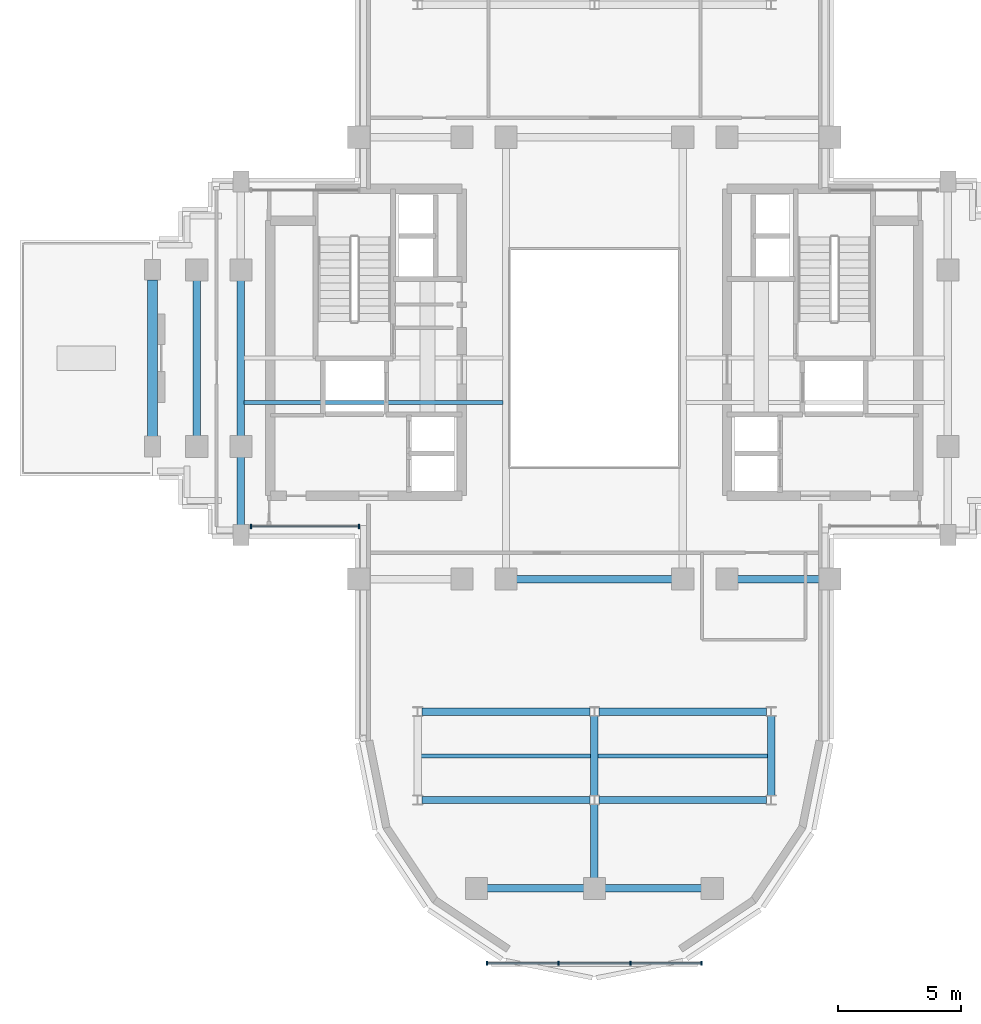
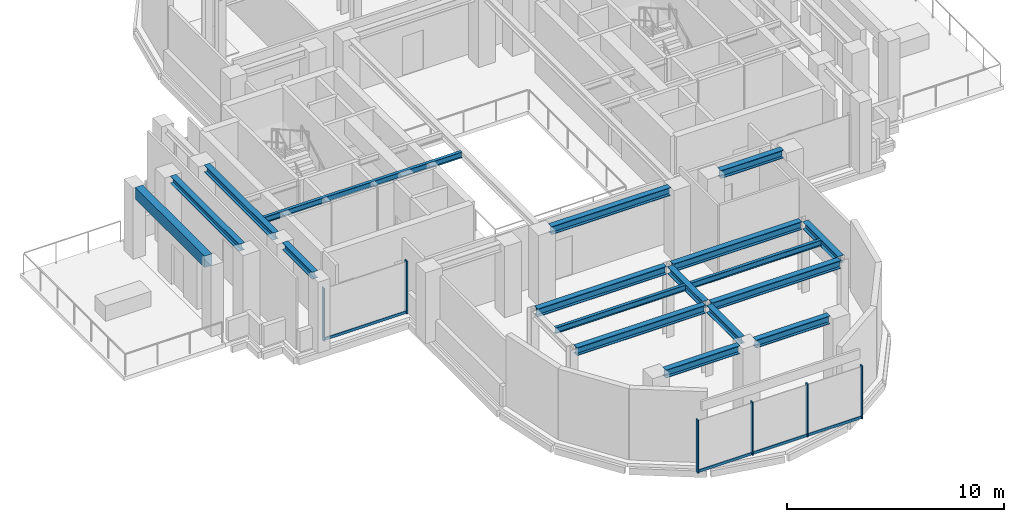
# One storey, part 2 of 12: 18 beams, 10 members, 2 elements without a shape of their own.
"""IFC4 building model written with IfcOpenShell, lengths in metres."""

from ifc_helpers import new_model, si_unit, direction, frame, origin, origin_2d, place, context, subcontext, project, spatial, rectangle, i_section, extrude, source, transform, mapped, material, material_profile, profile_set, type_object, element, aggregate, save


model = new_model("IFC4")

# Units and contexts
model_context = context("Model", 3, precision=1e-05, world=origin(), true_north=direction((0.0, 1.0)))
body_context = subcontext(model_context, "Body", "Model", "MODEL_VIEW")
ifc_project = project(units=[si_unit("LENGTHUNIT", "METRE"), si_unit("AREAUNIT", "SQUARE_METRE"), si_unit("VOLUMEUNIT", "CUBIC_METRE"), si_unit("PLANEANGLEUNIT", "RADIAN"), si_unit("MASSUNIT", "GRAM", prefix="KILO")], contexts=[model_context])

# Site, building, storey
site_placement = place(None, origin())
site = spatial("IfcSite", under=ifc_project, at=site_placement, CompositionType="ELEMENT")
building_placement = place(site_placement, origin())
building = spatial("IfcBuilding", under=site, at=building_placement, Name="Keilestroom Media Tower", CompositionType="ELEMENT")
storey_placement = place(building_placement, frame((0.0, 0.0, 156.199951171875)))
storey = spatial("IfcBuildingStorey", under=building, at=storey_placement, Name="L42", CompositionType="ELEMENT", Elevation=156.199951171875)

# Beams
ifc_material_1 = material(Name="Steel S355", Category="steel")
ifc_material_profile_1 = material_profile(ifc_material_1, i_section(OverallWidth=0.300048828125, OverallDepth=0.449951171875, WebThickness=0.011962890625, FlangeThickness=0.02587890625, at=origin_2d()), Name="HEB 450")
ifc_profile_set_1 = profile_set([ifc_material_profile_1], Name="Steel S355")
beam_type_1 = type_object("IfcBeamType", Name="Primary-Structural-Girder-HEB-450", PredefinedType="BEAM", material=ifc_profile_set_1)
shared_shape_1 = source(origin(), body_context, "Body", "SweptSolid", [
    extrude(i_section(OverallWidth=0.300048828125, OverallDepth=0.449951171875, WebThickness=0.011962890625, FlangeThickness=0.02587890625, at=origin_2d()), origin(), (0.0, 0.0, 1.0), 3.940185546875),
])
for number, where, z_axis, x_axis, name in (
    (1, (-4.3701171875, -21.60009765625, 3.775146484375), (1.0, 0.0, 0.0), (0.0, 1.0, 0.0), "L42 Beam BG-7 BM-L42-EW-001"),
    (2, (0.429931640625, -21.60009765625, 3.775146484375), (1.0, 0.0, 0.0), (0.0, 1.0, 0.0), "L42 Beam BG-7 BM-L42-EW-002"),
):
    element("IfcBeam", number, at=place(storey_placement, frame(where, z_axis=z_axis, x_axis=x_axis)), inside=storey, type_object=beam_type_1, Name=name, PredefinedType="BEAM", context=body_context, shape_type="MappedRepresentation", body=[
        mapped(shared_shape_1, transform((0.0, 0.0, 0.0), x_axis=(1.0, 0.0, 0.0), y_axis=(0.0, 1.0, 0.0), z_axis=(0.0, 0.0, 1.0), scale=1.0)),
    ])
shared_shape_2 = source(origin(), body_context, "Body", "SweptSolid", [
    extrude(i_section(OverallWidth=0.300048828125, OverallDepth=0.449951171875, WebThickness=0.011962890625, FlangeThickness=0.02587890625, at=origin_2d()), origin(), (0.0, 0.0, 1.0), 6.842041015625),
])
for number, where, z_axis, x_axis, name in (
    (3, (-7.02099609375, -18.0, 3.775146484375), (1.0, 0.0, 0.0), (0.0, 1.0, 0.0), "L42 Beam BG-7 BM-L42-EW-003"),
    (4, (0.178955078125, -18.0, 3.775146484375), (1.0, 0.0, 0.0), (0.0, 1.0, 0.0), "L42 Beam BG-7 BM-L42-EW-004"),
    (5, (-7.02099609375, -14.39990234375, 3.775146484375), (1.0, 0.0, 0.0), (0.0, 1.0, 0.0), "L42 Beam BG-7 BM-L42-EW-005"),
    (6, (0.178955078125, -14.39990234375, 3.775146484375), (1.0, 0.0, 0.0), (0.0, 1.0, 0.0), "L42 Beam BG-7 BM-L42-EW-006"),
):
    element("IfcBeam", number, at=place(storey_placement, frame(where, z_axis=z_axis, x_axis=x_axis)), inside=storey, type_object=beam_type_1, Name=name, PredefinedType="BEAM", context=body_context, shape_type="MappedRepresentation", body=[
        mapped(shared_shape_2, transform((0.0, 0.0, 0.0), x_axis=(1.0, 0.0, 0.0), y_axis=(0.0, 1.0, 0.0), z_axis=(0.0, 0.0, 1.0), scale=1.0)),
    ])
shared_shape_3 = source(origin(), body_context, "Body", "SweptSolid", [
    extrude(i_section(OverallWidth=0.300048828125, OverallDepth=0.449951171875, WebThickness=0.011962890625, FlangeThickness=0.02587890625, at=origin_2d()), origin(), (0.0, 0.0, 1.0), 3.33984375),
])
beam_1_placement = place(storey_placement, frame((5.830078125, -9.0, 3.775146484375), z_axis=(1.0, 0.0, 0.0), x_axis=(0.0, 1.0, 0.0)))
element("IfcBeam", 7, at=beam_1_placement, inside=storey, type_object=beam_type_1, Name="L42 Beam BG-7 BM-L42-EW-011", PredefinedType="BEAM", context=body_context, shape_type="MappedRepresentation", body=[
    mapped(shared_shape_3, transform((0.0, 0.0, 0.0), x_axis=(1.0, 0.0, 0.0), y_axis=(0.0, 1.0, 0.0), z_axis=(0.0, 0.0, 1.0), scale=1.0)),
])
shared_shape_4 = source(origin(), body_context, "Body", "SweptSolid", [
    extrude(i_section(OverallWidth=0.300048828125, OverallDepth=0.449951171875, WebThickness=0.011962890625, FlangeThickness=0.02587890625, at=origin_2d()), origin(), (0.0, 0.0, 1.0), 6.33984375),
])
beam_2_placement = place(storey_placement, frame((-3.169921875, -9.0, 3.775146484375), z_axis=(1.0, 0.0, 0.0), x_axis=(0.0, 1.0, 0.0)))
element("IfcBeam", 8, at=beam_2_placement, inside=storey, type_object=beam_type_1, Name="L42 Beam BG-7 BM-L42-EW-009", PredefinedType="BEAM", context=body_context, shape_type="MappedRepresentation", body=[
    mapped(shared_shape_4, transform((0.0, 0.0, 0.0), x_axis=(1.0, 0.0, 0.0), y_axis=(0.0, 1.0, 0.0), z_axis=(0.0, 0.0, 1.0), scale=1.0)),
])
ifc_material_2 = material(Name="Precast concrete C40/50", Category="concrete")
ifc_material_profile_2 = material_profile(ifc_material_2, rectangle(XDim=0.39990234375, YDim=0.64990234375, at=origin_2d()), Name="PC 400x650")
ifc_profile_set_2 = profile_set([ifc_material_profile_2], Name="Precast concrete C40/50")
beam_type_2 = type_object("IfcBeamType", Name="Perimeter-Spandrel-Beam-PC-400x650", PredefinedType="SPANDREL", material=ifc_profile_set_2)
shared_shape_5 = source(origin(), body_context, "Body", "SweptSolid", [
    extrude(rectangle(XDim=0.39990234375, YDim=0.64990234375, at=origin_2d()), origin(), (0.0, 0.0, 1.0), 6.39013671875),
])
beam_3_placement = place(storey_placement, frame((-18.0, -3.195068359375, 3.675048828125), z_axis=(0.0, 1.0, 0.0), x_axis=(-1.0, 0.0, 0.0)))
element("IfcBeam", 9, at=beam_3_placement, inside=storey, type_object=beam_type_2, Name="L42 Beam SPB-2 BM-L42-NS-031", PredefinedType="SPANDREL", context=body_context, shape_type="MappedRepresentation", body=[
    mapped(shared_shape_5, transform((0.0, 0.0, 0.0), x_axis=(1.0, 0.0, 0.0), y_axis=(0.0, 1.0, 0.0), z_axis=(0.0, 0.0, 1.0), scale=1.0)),
])
ifc_material_profile_3 = material_profile(ifc_material_1, i_section(OverallWidth=0.300048828125, OverallDepth=0.39990234375, WebThickness=0.011474609375, FlangeThickness=0.02392578125, at=origin_2d()), Name="HEB 400")
ifc_profile_set_3 = profile_set([ifc_material_profile_3], Name="Steel S355")
beam_type_3 = type_object("IfcBeamType", Name="Primary-Structural-Girder-HEB-400", PredefinedType="BEAM", material=ifc_profile_set_3)
shared_shape_6 = source(origin(), body_context, "Body", "SweptSolid", [
    extrude(i_section(OverallWidth=0.300048828125, OverallDepth=0.39990234375, WebThickness=0.011474609375, FlangeThickness=0.02392578125, at=origin_2d()), origin(), (0.0, 0.0, 1.0), 6.33984375),
])
for number, where, z_axis, x_axis, name in (
    (10, (-16.199951171875, -3.169921875, 3.800048828125), (0.0, 1.0, 0.0), (-1.0, 0.0, 0.0), "L42 Beam BG-8 BM-L42-NS-032"),
    (11, (-14.39990234375, -3.169921875, 3.800048828125), (0.0, 1.0, 0.0), (-1.0, 0.0, 0.0), "L42 Beam BG-8 BM-L42-NS-034"),
):
    element("IfcBeam", number, at=place(storey_placement, frame(where, z_axis=z_axis, x_axis=x_axis)), inside=storey, type_object=beam_type_3, Name=name, PredefinedType="BEAM", context=body_context, shape_type="MappedRepresentation", body=[
        mapped(shared_shape_6, transform((0.0, 0.0, 0.0), x_axis=(1.0, 0.0, 0.0), y_axis=(0.0, 1.0, 0.0), z_axis=(0.0, 0.0, 1.0), scale=1.0)),
    ])
shared_shape_7 = source(origin(), body_context, "Body", "SweptSolid", [
    extrude(i_section(OverallWidth=0.300048828125, OverallDepth=0.39990234375, WebThickness=0.011474609375, FlangeThickness=0.02392578125, at=origin_2d()), origin(), (0.0, 0.0, 1.0), 2.764892578125),
])
beam_4_placement = place(storey_placement, frame((-14.39990234375, -6.794921875, 3.800048828125), z_axis=(0.0, 1.0, 0.0), x_axis=(-1.0, 0.0, 0.0)))
element("IfcBeam", 12, at=beam_4_placement, inside=storey, type_object=beam_type_3, Name="L42 Beam BG-8 BM-L42-NS-033", PredefinedType="BEAM", context=body_context, shape_type="MappedRepresentation", body=[
    mapped(shared_shape_7, transform((0.0, 0.0, 0.0), x_axis=(1.0, 0.0, 0.0), y_axis=(0.0, 1.0, 0.0), z_axis=(0.0, 0.0, 1.0), scale=1.0)),
])
shared_shape_8 = source(origin(), body_context, "Body", "SweptSolid", [
    extrude(i_section(OverallWidth=0.300048828125, OverallDepth=0.39990234375, WebThickness=0.011474609375, FlangeThickness=0.02392578125, at=origin_2d()), origin(), (0.0, 0.0, 1.0), 3.2529296875),
])
for number, where, z_axis, x_axis, name in (
    (13, (0.0, -17.826416015625, 3.800048828125), (0.0, 1.0, 0.0), (-1.0, 0.0, 0.0), "L42 Beam BG-8 BM-L42-NS-042"),
    (14, (7.199951171875, -17.826416015625, 3.800048828125), (0.0, 1.0, 0.0), (-1.0, 0.0, 0.0), "L42 Beam BG-8 BM-L42-NS-047"),
):
    element("IfcBeam", number, at=place(storey_placement, frame(where, z_axis=z_axis, x_axis=x_axis)), inside=storey, type_object=beam_type_3, Name=name, PredefinedType="BEAM", context=body_context, shape_type="MappedRepresentation", body=[
        mapped(shared_shape_8, transform((0.0, 0.0, 0.0), x_axis=(1.0, 0.0, 0.0), y_axis=(0.0, 1.0, 0.0), z_axis=(0.0, 0.0, 1.0), scale=1.0)),
    ])
shared_shape_9 = source(origin(), body_context, "Body", "SweptSolid", [
    extrude(i_section(OverallWidth=0.300048828125, OverallDepth=0.39990234375, WebThickness=0.011474609375, FlangeThickness=0.02392578125, at=origin_2d()), origin(), (0.0, 0.0, 1.0), 2.996337890625),
])
beam_5_placement = place(storey_placement, frame((0.0, -21.169921875, 3.800048828125), z_axis=(0.0, 1.0, 0.0), x_axis=(-1.0, 0.0, 0.0)))
element("IfcBeam", 15, at=beam_5_placement, inside=storey, type_object=beam_type_3, Name="L42 Beam BG-8 BM-L42-NS-041", PredefinedType="BEAM", context=body_context, shape_type="MappedRepresentation", body=[
    mapped(shared_shape_9, transform((0.0, 0.0, 0.0), x_axis=(1.0, 0.0, 0.0), y_axis=(0.0, 1.0, 0.0), z_axis=(0.0, 0.0, 1.0), scale=1.0)),
])
ifc_material_profile_4 = material_profile(ifc_material_1, i_section(OverallWidth=0.159912109375, OverallDepth=0.330078125, WebThickness=0.007568359375, FlangeThickness=0.011474609375, at=origin_2d()), Name="IPE 330")
ifc_profile_set_4 = profile_set([ifc_material_profile_4], Name="Steel S355")
beam_type_4 = type_object("IfcBeamType", Name="Secondary-Floor-Joist-IPE-330", PredefinedType="JOIST", material=ifc_profile_set_4)
shared_shape_10 = source(origin(), body_context, "Body", "SweptSolid", [
    extrude(i_section(OverallWidth=0.159912109375, OverallDepth=0.330078125, WebThickness=0.007568359375, FlangeThickness=0.011474609375, at=origin_2d()), origin(), (0.0, 0.0, 1.0), 6.940185546875),
])
for number, where, z_axis, x_axis, name in (
    (16, (-7.070068359375, -16.199951171875, 3.8349609375), (1.0, 0.0, 0.0), (0.0, 1.0, 0.0), "L42 Beam BJ-6 JST-L42-055"),
    (17, (0.1298828125, -16.199951171875, 3.8349609375), (1.0, 0.0, 0.0), (0.0, 1.0, 0.0), "L42 Beam BJ-6 JST-L42-056"),
):
    element("IfcBeam", number, at=place(storey_placement, frame(where, z_axis=z_axis, x_axis=x_axis)), inside=storey, type_object=beam_type_4, Name=name, PredefinedType="JOIST", context=body_context, shape_type="MappedRepresentation", body=[
        mapped(shared_shape_10, transform((0.0, 0.0, 0.0), x_axis=(1.0, 0.0, 0.0), y_axis=(0.0, 1.0, 0.0), z_axis=(0.0, 0.0, 1.0), scale=1.0)),
    ])
shared_shape_11 = source(origin(), body_context, "Body", "SweptSolid", [
    extrude(i_section(OverallWidth=0.159912109375, OverallDepth=0.330078125, WebThickness=0.007568359375, FlangeThickness=0.011474609375, at=origin_2d()), origin(), (0.0, 0.0, 1.0), 10.5400390625),
])
beam_6_placement = place(storey_placement, frame((-14.27001953125, -1.800048828125, 3.8349609375), z_axis=(1.0, 0.0, 0.0), x_axis=(0.0, 1.0, 0.0)))
element("IfcBeam", 18, at=beam_6_placement, inside=storey, type_object=beam_type_4, Name="L42 Beam BJ-6 JST-L42-057", PredefinedType="JOIST", context=body_context, shape_type="MappedRepresentation", body=[
    mapped(shared_shape_11, transform((0.0, 0.0, 0.0), x_axis=(1.0, 0.0, 0.0), y_axis=(0.0, 1.0, 0.0), z_axis=(0.0, 0.0, 1.0), scale=1.0)),
])

# Curtain wall, members
ifc_material_3 = material(Name="Anodised Aluminium Alloy", Category="aluminium")
curtain_wall_type_1 = type_object("IfcCurtainWallType", Name="Unitised-Curtain-Wall-CW-6", PredefinedType="NOTDEFINED", material=ifc_material_3)
curtain_wall_1_placement = place(storey_placement, origin())
curtain_wall_1 = element("IfcCurtainWall", 19, at=curtain_wall_1_placement, inside=storey, type_object=curtain_wall_type_1, Name="L42 Curtain Wall CW-6 CW-L42-LS-1", PredefinedType="NOTDEFINED")
ifc_material_profile_5 = material_profile(ifc_material_3, rectangle(XDim=0.06494140625, YDim=0.179931640625, at=origin_2d()), Name="ALU MULLION 65x180")
ifc_profile_set_5 = profile_set([ifc_material_profile_5], Name="Anodised Aluminium Alloy")
member_type_1 = type_object("IfcMemberType", Name="Curtain-Wall-Mullion-CW-6", PredefinedType="MULLION", material=ifc_profile_set_5)
shared_shape_12 = source(origin(), body_context, "Body", "SweptSolid", [
    extrude(rectangle(XDim=0.06494140625, YDim=0.179931640625, at=origin_2d()), origin(), (0.0, 0.0, 1.0), 2.97998046875),
])
member_1_placement = place(storey_placement, frame((-4.367431640625, -24.64990234375, 0.0), z_axis=(0.0, 0.0, 1.0), x_axis=(1.0, 0.0, 0.0)))
member_1 = element("IfcMember", 20, at=member_1_placement, type_object=member_type_1, Name="CW-6 Mullion 00", PredefinedType="MULLION", context=body_context, shape_type="MappedRepresentation", body=[
    mapped(shared_shape_12, transform((0.0, 0.0, 0.0), x_axis=(1.0, 0.0, 0.0), y_axis=(0.0, 1.0, 0.0), z_axis=(0.0, 0.0, 1.0), scale=1.0)),
])
member_2_placement = place(storey_placement, frame((-1.466796875, -24.64990234375, 0.0), z_axis=(0.0, 0.0, 1.0), x_axis=(1.0, 0.0, 0.0)))
member_2 = element("IfcMember", 21, at=member_2_placement, type_object=member_type_1, Name="CW-6 Mullion 01", PredefinedType="MULLION", context=body_context, shape_type="MappedRepresentation", body=[
    mapped(shared_shape_12, transform((0.0, 0.0, 0.0), x_axis=(1.0, 0.0, 0.0), y_axis=(0.0, 1.0, 0.0), z_axis=(0.0, 0.0, 1.0), scale=1.0)),
])
member_3_placement = place(storey_placement, frame((1.466796875, -24.64990234375, 0.0), z_axis=(0.0, 0.0, 1.0), x_axis=(1.0, 0.0, 0.0)))
member_3 = element("IfcMember", 22, at=member_3_placement, type_object=member_type_1, Name="CW-6 Mullion 02", PredefinedType="MULLION", context=body_context, shape_type="MappedRepresentation", body=[
    mapped(shared_shape_12, transform((0.0, 0.0, 0.0), x_axis=(1.0, 0.0, 0.0), y_axis=(0.0, 1.0, 0.0), z_axis=(0.0, 0.0, 1.0), scale=1.0)),
])
member_4_placement = place(storey_placement, frame((4.367431640625, -24.64990234375, 0.0), z_axis=(0.0, 0.0, 1.0), x_axis=(1.0, 0.0, 0.0)))
member_4 = element("IfcMember", 23, at=member_4_placement, type_object=member_type_1, Name="CW-6 Mullion 03", PredefinedType="MULLION", context=body_context, shape_type="MappedRepresentation", body=[
    mapped(shared_shape_12, transform((0.0, 0.0, 0.0), x_axis=(1.0, 0.0, 0.0), y_axis=(0.0, 1.0, 0.0), z_axis=(0.0, 0.0, 1.0), scale=1.0)),
])
ifc_material_profile_6 = material_profile(ifc_material_3, rectangle(XDim=0.06494140625, YDim=0.14990234375, at=origin_2d()), Name="ALU TRANSOM 65x150")
ifc_profile_set_6 = profile_set([ifc_material_profile_6], Name="Anodised Aluminium Alloy")
member_type_2 = type_object("IfcMemberType", Name="Curtain-Wall-Transom-CW-6", PredefinedType="USERDEFINED", material=ifc_profile_set_6)
shared_shape_13 = source(origin(), body_context, "Body", "SweptSolid", [
    extrude(rectangle(XDim=0.06494140625, YDim=0.14990234375, at=origin_2d()), origin(), (0.0, 0.0, 1.0), 2.839599609375),
])
member_5_placement = place(storey_placement, frame((-4.3369140625, -24.64990234375, 0.074951171875), z_axis=(1.0, 0.0, 0.0), x_axis=(0.0, 1.0, 0.0)))
member_5 = element("IfcMember", 24, at=member_5_placement, type_object=member_type_2, Name="CW-6 Transom 00.1", ObjectType="TRANSOM", PredefinedType="USERDEFINED", context=body_context, shape_type="MappedRepresentation", body=[
    mapped(shared_shape_13, transform((0.0, 0.0, 0.0), x_axis=(1.0, 0.0, 0.0), y_axis=(0.0, 1.0, 0.0), z_axis=(0.0, 0.0, 1.0), scale=1.0)),
])
member_6_placement = place(storey_placement, frame((1.497314453125, -24.64990234375, 0.074951171875), z_axis=(1.0, 0.0, 0.0), x_axis=(0.0, 1.0, 0.0)))
member_6 = element("IfcMember", 25, at=member_6_placement, type_object=member_type_2, Name="CW-6 Transom 02.1", ObjectType="TRANSOM", PredefinedType="USERDEFINED", context=body_context, shape_type="MappedRepresentation", body=[
    mapped(shared_shape_13, transform((0.0, 0.0, 0.0), x_axis=(1.0, 0.0, 0.0), y_axis=(0.0, 1.0, 0.0), z_axis=(0.0, 0.0, 1.0), scale=1.0)),
])
shared_shape_14 = source(origin(), body_context, "Body", "SweptSolid", [
    extrude(rectangle(XDim=0.06494140625, YDim=0.14990234375, at=origin_2d()), origin(), (0.0, 0.0, 1.0), 2.87255859375),
])
member_7_placement = place(storey_placement, frame((-1.436279296875, -24.64990234375, 0.074951171875), z_axis=(1.0, 0.0, 0.0), x_axis=(0.0, 1.0, 0.0)))
member_7 = element("IfcMember", 26, at=member_7_placement, type_object=member_type_2, Name="CW-6 Transom 01.1", ObjectType="TRANSOM", PredefinedType="USERDEFINED", context=body_context, shape_type="MappedRepresentation", body=[
    mapped(shared_shape_14, transform((0.0, 0.0, 0.0), x_axis=(1.0, 0.0, 0.0), y_axis=(0.0, 1.0, 0.0), z_axis=(0.0, 0.0, 1.0), scale=1.0)),
])
aggregate(curtain_wall_1, [member_1, member_2, member_3, member_4, member_5, member_7, member_6])

curtain_wall_type_2 = type_object("IfcCurtainWallType", Name="Unitised-Curtain-Wall-CW-3", PredefinedType="NOTDEFINED", material=ifc_material_3)
curtain_wall_2_placement = place(storey_placement, origin())
curtain_wall_2 = element("IfcCurtainWall", 27, at=curtain_wall_2_placement, inside=storey, type_object=curtain_wall_type_2, Name="L42 Curtain Wall CW-3 CW-L42-SW-1", PredefinedType="NOTDEFINED")
ifc_material_profile_7 = material_profile(ifc_material_3, rectangle(XDim=0.06494140625, YDim=0.179931640625, at=origin_2d()), Name="ALU MULLION 65x180")
ifc_profile_set_7 = profile_set([ifc_material_profile_7], Name="Anodised Aluminium Alloy")
member_type_3 = type_object("IfcMemberType", Name="Curtain-Wall-Mullion-CW-3", PredefinedType="MULLION", material=ifc_profile_set_7)
shared_shape_15 = source(origin(), body_context, "Body", "SweptSolid", [
    extrude(rectangle(XDim=0.06494140625, YDim=0.179931640625, at=origin_2d()), origin(), (0.0, 0.0, 1.0), 2.97998046875),
])
member_8_placement = place(storey_placement, frame((-13.982421875, -6.85009765625, 0.0), z_axis=(0.0, 0.0, 1.0), x_axis=(1.0, 0.0, 0.0)))
member_8 = element("IfcMember", 28, at=member_8_placement, type_object=member_type_3, Name="CW-3 Mullion 00", PredefinedType="MULLION", context=body_context, shape_type="MappedRepresentation", body=[
    mapped(shared_shape_15, transform((0.0, 0.0, 0.0), x_axis=(1.0, 0.0, 0.0), y_axis=(0.0, 1.0, 0.0), z_axis=(0.0, 0.0, 1.0), scale=1.0)),
])
member_9_placement = place(storey_placement, frame((-9.58251953125, -6.85009765625, 0.0), z_axis=(0.0, 0.0, 1.0), x_axis=(1.0, 0.0, 0.0)))
member_9 = element("IfcMember", 29, at=member_9_placement, type_object=member_type_3, Name="CW-3 Mullion 01", PredefinedType="MULLION", context=body_context, shape_type="MappedRepresentation", body=[
    mapped(shared_shape_15, transform((0.0, 0.0, 0.0), x_axis=(1.0, 0.0, 0.0), y_axis=(0.0, 1.0, 0.0), z_axis=(0.0, 0.0, 1.0), scale=1.0)),
])
ifc_material_profile_8 = material_profile(ifc_material_3, rectangle(XDim=0.06494140625, YDim=0.14990234375, at=origin_2d()), Name="ALU TRANSOM 65x150")
ifc_profile_set_8 = profile_set([ifc_material_profile_8], Name="Anodised Aluminium Alloy")
member_type_4 = type_object("IfcMemberType", Name="Curtain-Wall-Transom-CW-3", PredefinedType="USERDEFINED", material=ifc_profile_set_8)
shared_shape_16 = source(origin(), body_context, "Body", "SweptSolid", [
    extrude(rectangle(XDim=0.06494140625, YDim=0.14990234375, at=origin_2d()), origin(), (0.0, 0.0, 1.0), 4.3388671875),
])
member_10_placement = place(storey_placement, frame((-13.951904296875, -6.85009765625, 0.074951171875), z_axis=(1.0, 0.0, 0.0), x_axis=(0.0, 1.0, 0.0)))
member_10 = element("IfcMember", 30, at=member_10_placement, type_object=member_type_4, Name="CW-3 Transom 00.1", ObjectType="TRANSOM", PredefinedType="USERDEFINED", context=body_context, shape_type="MappedRepresentation", body=[
    mapped(shared_shape_16, transform((0.0, 0.0, 0.0), x_axis=(1.0, 0.0, 0.0), y_axis=(0.0, 1.0, 0.0), z_axis=(0.0, 0.0, 1.0), scale=1.0)),
])
aggregate(curtain_wall_2, [member_8, member_9, member_10])

save(model, "model.ifc")
